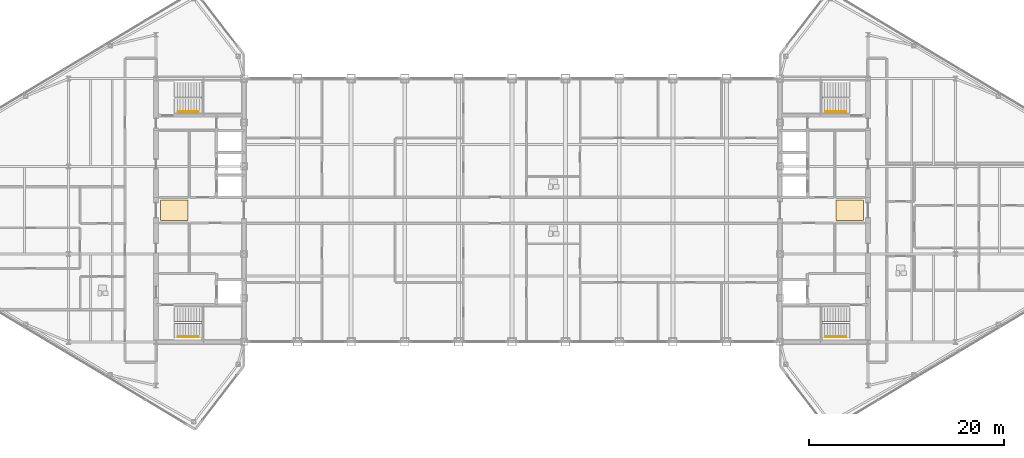
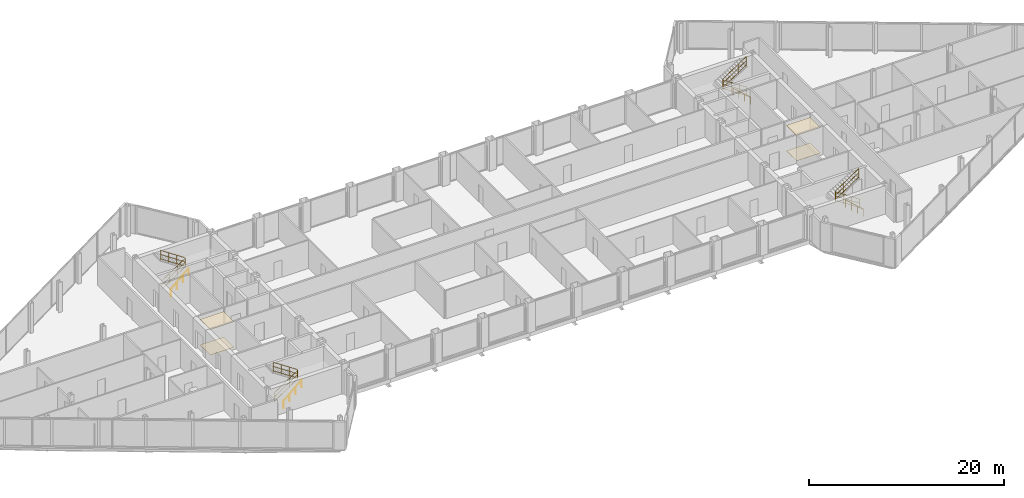
# One storey, part 28 of 29: 8 railings, 4 coverings.
"""IFC4 building model written with IfcOpenShell, lengths in metres."""

from ifc_helpers import new_model, si_unit, direction, frame, origin, origin_2d, place, context, subcontext, project, spatial, polyline, circle, outline, extrude, material, layer, layer_set, type_object, element, save


model = new_model("IFC4")

# Units and contexts
model_context = context("Model", 3, precision=1e-05, world=origin(), true_north=direction((0.0, 1.0)))
body_context = subcontext(model_context, "Body", "Model", "MODEL_VIEW")
ifc_project = project(units=[si_unit("LENGTHUNIT", "METRE"), si_unit("AREAUNIT", "SQUARE_METRE"), si_unit("VOLUMEUNIT", "CUBIC_METRE"), si_unit("PLANEANGLEUNIT", "RADIAN"), si_unit("MASSUNIT", "GRAM", prefix="KILO")], contexts=[model_context])

# Site, building, storey
site_placement = place(None, origin())
site = spatial("IfcSite", under=ifc_project, at=site_placement, CompositionType="ELEMENT")
building_placement = place(site_placement, origin())
building = spatial("IfcBuilding", under=site, at=building_placement, Name="Seokmaru Belvedere", CompositionType="ELEMENT")
storey_placement = place(building_placement, frame((0.0, 0.0, 246.89990234375)))
storey = spatial("IfcBuildingStorey", under=building, at=storey_placement, Name="L65", CompositionType="ELEMENT", Elevation=246.89990234375)

# Coverings
ifc_material_1 = material(Name="Engineered White Oak Timber", Category="wood")
ifc_layer_1 = layer(ifc_material_1, 0.02197265625)
ifc_layer_set_1 = layer_set([ifc_layer_1], Name="Engineered White Oak Timber")
covering_type_1 = type_object("IfcCoveringType", Name="Engineered Oak Residence Floor Finish 22", PredefinedType="FLOORING", material=ifc_layer_set_1)
covering_1_placement = place(storey_placement, origin())
element("IfcCovering", 1, at=covering_1_placement, inside=storey, type_object=covering_type_1, Name="L65 W Foyer Floor Finish", PredefinedType="FLOORING", context=body_context, shape_type="SweptSolid", body=[
    extrude(outline(polyline([(-36.050048828125, -1.050048828125), (-33.25, -1.050048828125), (-33.25, 1.050048828125), (-36.050048828125, 1.050048828125), (-36.050048828125, -1.050048828125)])), origin(), (0.0, 0.0, 1.0), 0.022216796875),
])
covering_2_placement = place(storey_placement, origin())
element("IfcCovering", 2, at=covering_2_placement, inside=storey, type_object=covering_type_1, Name="L65 E Foyer Floor Finish", PredefinedType="FLOORING", context=body_context, shape_type="SweptSolid", body=[
    extrude(outline(polyline([(33.25, -1.050048828125), (36.050048828125, -1.050048828125), (36.050048828125, 1.050048828125), (33.25, 1.050048828125), (33.25, -1.050048828125)])), origin(), (0.0, 0.0, 1.0), 0.022216796875),
])
ifc_material_2 = material(Name="Fire-Rated Gypsum Shaftwall")
ifc_layer_2 = layer(ifc_material_2, 0.02490234375)
ifc_layer_set_2 = layer_set([ifc_layer_2], Name="Fire-Rated Gypsum Shaftwall")
covering_type_2 = type_object("IfcCoveringType", Name="Perforated Acoustic Gypsum Suspended Ceiling 25", PredefinedType="CEILING", material=ifc_layer_set_2)
covering_3_placement = place(storey_placement, frame((0.0, 0.0, 3.18017578125)))
element("IfcCovering", 3, at=covering_3_placement, inside=storey, type_object=covering_type_2, Name="L65 W Lift Foyer Acoustic Ceiling", PredefinedType="CEILING", context=body_context, shape_type="SweptSolid", body=[
    extrude(outline(polyline([(-36.050048828125, -1.050048828125), (-33.25, -1.050048828125), (-33.25, 1.050048828125), (-36.050048828125, 1.050048828125), (-36.050048828125, -1.050048828125)])), origin(), (0.0, 0.0, 1.0), 0.02490234375),
])
covering_4_placement = place(storey_placement, frame((0.0, 0.0, 3.18017578125)))
element("IfcCovering", 4, at=covering_4_placement, inside=storey, type_object=covering_type_2, Name="L65 E Lift Foyer Acoustic Ceiling", PredefinedType="CEILING", context=body_context, shape_type="SweptSolid", body=[
    extrude(outline(polyline([(33.25, -1.050048828125), (36.050048828125, -1.050048828125), (36.050048828125, 1.050048828125), (33.25, 1.050048828125), (33.25, -1.050048828125)])), origin(), (0.0, 0.0, 1.0), 0.02490234375),
])

# Railings
ifc_material_3 = material(Name="Stainless Steel 316", Category="steel")
railing_type_1 = type_object("IfcRailingType", Name="Stainless Steel Wall and Flight Handrail 900", PredefinedType="HANDRAIL", material=ifc_material_3)
for number, where, name in (
    (5, (-34.25, -12.949951171875, 0.0), "L65 Stair ST-W1 Wall Handrail"),
    (6, (-34.25, 10.110107421875, 0.0), "L65 Stair ST-W2 Wall Handrail"),
):
    element("IfcRailing", number, at=place(storey_placement, frame(where)), inside=storey, type_object=railing_type_1, Name=name, PredefinedType="HANDRAIL", context=body_context, shape_type="SweptSolid", body=[
        extrude(circle(Radius=0.02392578125, at=origin_2d()), frame((0.0, 0.0, 0.8759765625), z_axis=(0.74595304797, 0.0, 0.665998536202), x_axis=(0.0, 1.0, 0.0)), (0.0, 0.0, 1.0), 2.8154296875),
        extrude(circle(Radius=0.02099609375, at=origin_2d()), origin(), (0.0, 0.0, 1.0), 0.851806640625),
        extrude(circle(Radius=0.02099609375, at=origin_2d()), frame((0.699951171875, 0.0, 0.625)), (0.0, 0.0, 1.0), 0.851806640625),
        extrude(circle(Radius=0.02099609375, at=origin_2d()), frame((1.400146484375, 0.0, 1.25)), (0.0, 0.0, 1.0), 0.851806640625),
        extrude(circle(Radius=0.02099609375, at=origin_2d()), frame((2.10009765625, 0.0, 1.875)), (0.0, 0.0, 1.0), 0.851806640625),
    ])
for number, where, name in (
    (7, (34.25, -12.949951171875, 0.0), "L65 Stair ST-E1 Wall Handrail"),
    (8, (34.25, 10.110107421875, 0.0), "L65 Stair ST-E2 Wall Handrail"),
):
    element("IfcRailing", number, at=place(storey_placement, frame(where)), inside=storey, type_object=railing_type_1, Name=name, PredefinedType="HANDRAIL", context=body_context, shape_type="SweptSolid", body=[
        extrude(circle(Radius=0.02392578125, at=origin_2d()), frame((0.0, 0.0, 0.8759765625), z_axis=(-0.74595304797, 0.0, 0.665998536202), x_axis=(0.0, -1.0, 0.0)), (0.0, 0.0, 1.0), 2.8154296875),
        extrude(circle(Radius=0.02099609375, at=origin_2d()), origin(), (0.0, 0.0, 1.0), 0.851806640625),
        extrude(circle(Radius=0.02099609375, at=origin_2d()), frame((-0.699951171875, 0.0, 0.625)), (0.0, 0.0, 1.0), 0.851806640625),
        extrude(circle(Radius=0.02099609375, at=origin_2d()), frame((-1.400146484375, 0.0, 1.25)), (0.0, 0.0, 1.0), 0.851806640625),
        extrude(circle(Radius=0.02099609375, at=origin_2d()), frame((-2.10009765625, 0.0, 1.875)), (0.0, 0.0, 1.0), 0.851806640625),
    ])
railing_type_2 = type_object("IfcRailingType", Name="Stair Well and Atrium Steel Guardrail 1200", PredefinedType="GUARDRAIL", material=ifc_material_3)
railing_1_placement = place(storey_placement, frame((-34.60009765625, -11.60009765625, 0.0)))
element("IfcRailing", 9, at=railing_1_placement, inside=storey, type_object=railing_type_2, Name="L65 Stair ST-W1 Inner Well Guardrail", PredefinedType="GUARDRAIL", context=body_context, shape_type="SweptSolid", body=[
    extrude(circle(Radius=0.02392578125, at=origin_2d()), frame((0.0, 0.0, 1.17578125), z_axis=(0.830911662861, 0.0, 0.55640435703), x_axis=(0.0, 1.0, 0.0)), (0.0, 0.0, 1.0), 3.369873046875),
    extrude(circle(Radius=0.02392578125, at=origin_2d()), frame((0.0, 0.0, 0.1201171875), z_axis=(0.830911662861, 0.0, 0.55640435703), x_axis=(0.0, 1.0, 0.0)), (0.0, 0.0, 1.0), 3.369873046875),
    extrude(circle(Radius=0.02392578125, at=origin_2d()), frame((0.0, 0.0, 0.659912109375), z_axis=(0.830911662861, 0.0, 0.55640435703), x_axis=(0.0, 1.0, 0.0)), (0.0, 0.0, 1.0), 3.369873046875),
    extrude(circle(Radius=0.02392578125, at=origin_2d()), frame((2.800048828125, 0.0, 3.05078125), z_axis=(0.0, 1.0, 0.0), x_axis=(-1.0, 0.0, 0.0)), (0.0, 0.0, 1.0), 0.14013671875),
    extrude(circle(Radius=0.02392578125, at=origin_2d()), frame((2.800048828125, 0.0, 1.9951171875), z_axis=(0.0, 1.0, 0.0), x_axis=(-1.0, 0.0, 0.0)), (0.0, 0.0, 1.0), 0.14013671875),
    extrude(circle(Radius=0.02392578125, at=origin_2d()), frame((2.800048828125, 0.0, 2.534912109375), z_axis=(0.0, 1.0, 0.0), x_axis=(-1.0, 0.0, 0.0)), (0.0, 0.0, 1.0), 0.14013671875),
    extrude(circle(Radius=0.02392578125, at=origin_2d()), frame((2.800048828125, 0.14013671875, 3.05078125), z_axis=(-0.830911662861, 0.0, 0.55640435703), x_axis=(0.0, -1.0, 0.0)), (0.0, 0.0, 1.0), 3.369873046875),
    extrude(circle(Radius=0.02392578125, at=origin_2d()), frame((2.800048828125, 0.14013671875, 1.9951171875), z_axis=(-0.830911662861, 0.0, 0.55640435703), x_axis=(0.0, -1.0, 0.0)), (0.0, 0.0, 1.0), 3.369873046875),
    extrude(circle(Radius=0.02392578125, at=origin_2d()), frame((2.800048828125, 0.14013671875, 2.534912109375), z_axis=(-0.830911662861, 0.0, 0.55640435703), x_axis=(0.0, -1.0, 0.0)), (0.0, 0.0, 1.0), 3.369873046875),
    extrude(circle(Radius=0.02099609375, at=origin_2d()), origin(), (0.0, 0.0, 1.0), 1.15185546875),
    extrude(circle(Radius=0.02099609375, at=origin_2d()), frame((0.933349609375, 0.0, 0.625)), (0.0, 0.0, 1.0), 1.15185546875),
    extrude(circle(Radius=0.02099609375, at=origin_2d()), frame((1.86669921875, 0.0, 1.25)), (0.0, 0.0, 1.0), 1.15185546875),
    extrude(circle(Radius=0.02099609375, at=origin_2d()), frame((2.800048828125, 0.0, 1.875)), (0.0, 0.0, 1.0), 1.15185546875),
    extrude(circle(Radius=0.02099609375, at=origin_2d()), frame((2.800048828125, 0.14013671875, 1.875)), (0.0, 0.0, 1.0), 1.15185546875),
    extrude(circle(Radius=0.02099609375, at=origin_2d()), frame((1.86669921875, 0.14013671875, 2.5)), (0.0, 0.0, 1.0), 1.15185546875),
    extrude(circle(Radius=0.02099609375, at=origin_2d()), frame((0.933349609375, 0.14013671875, 3.125)), (0.0, 0.0, 1.0), 1.15185546875),
    extrude(circle(Radius=0.02099609375, at=origin_2d()), frame((0.0, 0.14013671875, 3.75)), (0.0, 0.0, 1.0), 1.15185546875),
])
railing_2_placement = place(storey_placement, frame((-34.60009765625, 11.4599609375, 0.0)))
element("IfcRailing", 10, at=railing_2_placement, inside=storey, type_object=railing_type_2, Name="L65 Stair ST-W2 Inner Well Guardrail", PredefinedType="GUARDRAIL", context=body_context, shape_type="SweptSolid", body=[
    extrude(circle(Radius=0.02392578125, at=origin_2d()), frame((0.0, 0.0, 1.17578125), z_axis=(0.830911662861, 0.0, 0.55640435703), x_axis=(0.0, 1.0, 0.0)), (0.0, 0.0, 1.0), 3.369873046875),
    extrude(circle(Radius=0.02392578125, at=origin_2d()), frame((0.0, 0.0, 0.1201171875), z_axis=(0.830911662861, 0.0, 0.55640435703), x_axis=(0.0, 1.0, 0.0)), (0.0, 0.0, 1.0), 3.369873046875),
    extrude(circle(Radius=0.02392578125, at=origin_2d()), frame((0.0, 0.0, 0.659912109375), z_axis=(0.830911662861, 0.0, 0.55640435703), x_axis=(0.0, 1.0, 0.0)), (0.0, 0.0, 1.0), 3.369873046875),
    extrude(circle(Radius=0.02392578125, at=origin_2d()), frame((2.800048828125, 0.0, 3.05078125), z_axis=(0.0, 1.0, 0.0), x_axis=(-1.0, 0.0, 0.0)), (0.0, 0.0, 1.0), 0.14013671875),
    extrude(circle(Radius=0.02392578125, at=origin_2d()), frame((2.800048828125, 0.0, 1.9951171875), z_axis=(0.0, 1.0, 0.0), x_axis=(-1.0, 0.0, 0.0)), (0.0, 0.0, 1.0), 0.14013671875),
    extrude(circle(Radius=0.02392578125, at=origin_2d()), frame((2.800048828125, 0.0, 2.534912109375), z_axis=(0.0, 1.0, 0.0), x_axis=(-1.0, 0.0, 0.0)), (0.0, 0.0, 1.0), 0.14013671875),
    extrude(circle(Radius=0.02392578125, at=origin_2d()), frame((2.800048828125, 0.14013671875, 3.05078125), z_axis=(-0.830911662861, 0.0, 0.55640435703), x_axis=(0.0, -1.0, 0.0)), (0.0, 0.0, 1.0), 3.369873046875),
    extrude(circle(Radius=0.02392578125, at=origin_2d()), frame((2.800048828125, 0.14013671875, 1.9951171875), z_axis=(-0.830911662861, 0.0, 0.55640435703), x_axis=(0.0, -1.0, 0.0)), (0.0, 0.0, 1.0), 3.369873046875),
    extrude(circle(Radius=0.02392578125, at=origin_2d()), frame((2.800048828125, 0.14013671875, 2.534912109375), z_axis=(-0.830911662861, 0.0, 0.55640435703), x_axis=(0.0, -1.0, 0.0)), (0.0, 0.0, 1.0), 3.369873046875),
    extrude(circle(Radius=0.02099609375, at=origin_2d()), origin(), (0.0, 0.0, 1.0), 1.15185546875),
    extrude(circle(Radius=0.02099609375, at=origin_2d()), frame((0.933349609375, 0.0, 0.625)), (0.0, 0.0, 1.0), 1.15185546875),
    extrude(circle(Radius=0.02099609375, at=origin_2d()), frame((1.86669921875, 0.0, 1.25)), (0.0, 0.0, 1.0), 1.15185546875),
    extrude(circle(Radius=0.02099609375, at=origin_2d()), frame((2.800048828125, 0.0, 1.875)), (0.0, 0.0, 1.0), 1.15185546875),
    extrude(circle(Radius=0.02099609375, at=origin_2d()), frame((2.800048828125, 0.14013671875, 1.875)), (0.0, 0.0, 1.0), 1.15185546875),
    extrude(circle(Radius=0.02099609375, at=origin_2d()), frame((1.86669921875, 0.14013671875, 2.5)), (0.0, 0.0, 1.0), 1.15185546875),
    extrude(circle(Radius=0.02099609375, at=origin_2d()), frame((0.933349609375, 0.14013671875, 3.125)), (0.0, 0.0, 1.0), 1.15185546875),
    extrude(circle(Radius=0.02099609375, at=origin_2d()), frame((0.0, 0.14013671875, 3.75)), (0.0, 0.0, 1.0), 1.15185546875),
])
railing_3_placement = place(storey_placement, frame((34.60009765625, -11.60009765625, 0.0)))
element("IfcRailing", 11, at=railing_3_placement, inside=storey, type_object=railing_type_2, Name="L65 Stair ST-E1 Inner Well Guardrail", PredefinedType="GUARDRAIL", context=body_context, shape_type="SweptSolid", body=[
    extrude(circle(Radius=0.02392578125, at=origin_2d()), frame((0.0, 0.0, 1.17578125), z_axis=(-0.830911662861, 0.0, 0.55640435703), x_axis=(0.0, -1.0, 0.0)), (0.0, 0.0, 1.0), 3.369873046875),
    extrude(circle(Radius=0.02392578125, at=origin_2d()), frame((0.0, 0.0, 0.1201171875), z_axis=(-0.830911662861, 0.0, 0.55640435703), x_axis=(0.0, -1.0, 0.0)), (0.0, 0.0, 1.0), 3.369873046875),
    extrude(circle(Radius=0.02392578125, at=origin_2d()), frame((0.0, 0.0, 0.659912109375), z_axis=(-0.830911662861, 0.0, 0.55640435703), x_axis=(0.0, -1.0, 0.0)), (0.0, 0.0, 1.0), 3.369873046875),
    extrude(circle(Radius=0.02392578125, at=origin_2d()), frame((-2.800048828125, 0.0, 3.05078125), z_axis=(0.0, 1.0, 0.0), x_axis=(-1.0, 0.0, 0.0)), (0.0, 0.0, 1.0), 0.14013671875),
    extrude(circle(Radius=0.02392578125, at=origin_2d()), frame((-2.800048828125, 0.0, 1.9951171875), z_axis=(0.0, 1.0, 0.0), x_axis=(-1.0, 0.0, 0.0)), (0.0, 0.0, 1.0), 0.14013671875),
    extrude(circle(Radius=0.02392578125, at=origin_2d()), frame((-2.800048828125, 0.0, 2.534912109375), z_axis=(0.0, 1.0, 0.0), x_axis=(-1.0, 0.0, 0.0)), (0.0, 0.0, 1.0), 0.14013671875),
    extrude(circle(Radius=0.02392578125, at=origin_2d()), frame((-2.800048828125, 0.14013671875, 3.05078125), z_axis=(0.830911662861, 0.0, 0.55640435703), x_axis=(0.0, 1.0, 0.0)), (0.0, 0.0, 1.0), 3.369873046875),
    extrude(circle(Radius=0.02392578125, at=origin_2d()), frame((-2.800048828125, 0.14013671875, 1.9951171875), z_axis=(0.830911662861, 0.0, 0.55640435703), x_axis=(0.0, 1.0, 0.0)), (0.0, 0.0, 1.0), 3.369873046875),
    extrude(circle(Radius=0.02392578125, at=origin_2d()), frame((-2.800048828125, 0.14013671875, 2.534912109375), z_axis=(0.830911662861, 0.0, 0.55640435703), x_axis=(0.0, 1.0, 0.0)), (0.0, 0.0, 1.0), 3.369873046875),
    extrude(circle(Radius=0.02099609375, at=origin_2d()), origin(), (0.0, 0.0, 1.0), 1.15185546875),
    extrude(circle(Radius=0.02099609375, at=origin_2d()), frame((-0.933349609375, 0.0, 0.625)), (0.0, 0.0, 1.0), 1.15185546875),
    extrude(circle(Radius=0.02099609375, at=origin_2d()), frame((-1.86669921875, 0.0, 1.25)), (0.0, 0.0, 1.0), 1.15185546875),
    extrude(circle(Radius=0.02099609375, at=origin_2d()), frame((-2.800048828125, 0.0, 1.875)), (0.0, 0.0, 1.0), 1.15185546875),
    extrude(circle(Radius=0.02099609375, at=origin_2d()), frame((-2.800048828125, 0.14013671875, 1.875)), (0.0, 0.0, 1.0), 1.15185546875),
    extrude(circle(Radius=0.02099609375, at=origin_2d()), frame((-1.86669921875, 0.14013671875, 2.5)), (0.0, 0.0, 1.0), 1.15185546875),
    extrude(circle(Radius=0.02099609375, at=origin_2d()), frame((-0.933349609375, 0.14013671875, 3.125)), (0.0, 0.0, 1.0), 1.15185546875),
    extrude(circle(Radius=0.02099609375, at=origin_2d()), frame((0.0, 0.14013671875, 3.75)), (0.0, 0.0, 1.0), 1.15185546875),
])
railing_4_placement = place(storey_placement, frame((34.60009765625, 11.4599609375, 0.0)))
element("IfcRailing", 12, at=railing_4_placement, inside=storey, type_object=railing_type_2, Name="L65 Stair ST-E2 Inner Well Guardrail", PredefinedType="GUARDRAIL", context=body_context, shape_type="SweptSolid", body=[
    extrude(circle(Radius=0.02392578125, at=origin_2d()), frame((0.0, 0.0, 1.17578125), z_axis=(-0.830911662861, 0.0, 0.55640435703), x_axis=(0.0, -1.0, 0.0)), (0.0, 0.0, 1.0), 3.369873046875),
    extrude(circle(Radius=0.02392578125, at=origin_2d()), frame((0.0, 0.0, 0.1201171875), z_axis=(-0.830911662861, 0.0, 0.55640435703), x_axis=(0.0, -1.0, 0.0)), (0.0, 0.0, 1.0), 3.369873046875),
    extrude(circle(Radius=0.02392578125, at=origin_2d()), frame((0.0, 0.0, 0.659912109375), z_axis=(-0.830911662861, 0.0, 0.55640435703), x_axis=(0.0, -1.0, 0.0)), (0.0, 0.0, 1.0), 3.369873046875),
    extrude(circle(Radius=0.02392578125, at=origin_2d()), frame((-2.800048828125, 0.0, 3.05078125), z_axis=(0.0, 1.0, 0.0), x_axis=(-1.0, 0.0, 0.0)), (0.0, 0.0, 1.0), 0.14013671875),
    extrude(circle(Radius=0.02392578125, at=origin_2d()), frame((-2.800048828125, 0.0, 1.9951171875), z_axis=(0.0, 1.0, 0.0), x_axis=(-1.0, 0.0, 0.0)), (0.0, 0.0, 1.0), 0.14013671875),
    extrude(circle(Radius=0.02392578125, at=origin_2d()), frame((-2.800048828125, 0.0, 2.534912109375), z_axis=(0.0, 1.0, 0.0), x_axis=(-1.0, 0.0, 0.0)), (0.0, 0.0, 1.0), 0.14013671875),
    extrude(circle(Radius=0.02392578125, at=origin_2d()), frame((-2.800048828125, 0.14013671875, 3.05078125), z_axis=(0.830911662861, 0.0, 0.55640435703), x_axis=(0.0, 1.0, 0.0)), (0.0, 0.0, 1.0), 3.369873046875),
    extrude(circle(Radius=0.02392578125, at=origin_2d()), frame((-2.800048828125, 0.14013671875, 1.9951171875), z_axis=(0.830911662861, 0.0, 0.55640435703), x_axis=(0.0, 1.0, 0.0)), (0.0, 0.0, 1.0), 3.369873046875),
    extrude(circle(Radius=0.02392578125, at=origin_2d()), frame((-2.800048828125, 0.14013671875, 2.534912109375), z_axis=(0.830911662861, 0.0, 0.55640435703), x_axis=(0.0, 1.0, 0.0)), (0.0, 0.0, 1.0), 3.369873046875),
    extrude(circle(Radius=0.02099609375, at=origin_2d()), origin(), (0.0, 0.0, 1.0), 1.15185546875),
    extrude(circle(Radius=0.02099609375, at=origin_2d()), frame((-0.933349609375, 0.0, 0.625)), (0.0, 0.0, 1.0), 1.15185546875),
    extrude(circle(Radius=0.02099609375, at=origin_2d()), frame((-1.86669921875, 0.0, 1.25)), (0.0, 0.0, 1.0), 1.15185546875),
    extrude(circle(Radius=0.02099609375, at=origin_2d()), frame((-2.800048828125, 0.0, 1.875)), (0.0, 0.0, 1.0), 1.15185546875),
    extrude(circle(Radius=0.02099609375, at=origin_2d()), frame((-2.800048828125, 0.14013671875, 1.875)), (0.0, 0.0, 1.0), 1.15185546875),
    extrude(circle(Radius=0.02099609375, at=origin_2d()), frame((-1.86669921875, 0.14013671875, 2.5)), (0.0, 0.0, 1.0), 1.15185546875),
    extrude(circle(Radius=0.02099609375, at=origin_2d()), frame((-0.933349609375, 0.14013671875, 3.125)), (0.0, 0.0, 1.0), 1.15185546875),
    extrude(circle(Radius=0.02099609375, at=origin_2d()), frame((0.0, 0.14013671875, 3.75)), (0.0, 0.0, 1.0), 1.15185546875),
])

save(model, "model.ifc")
